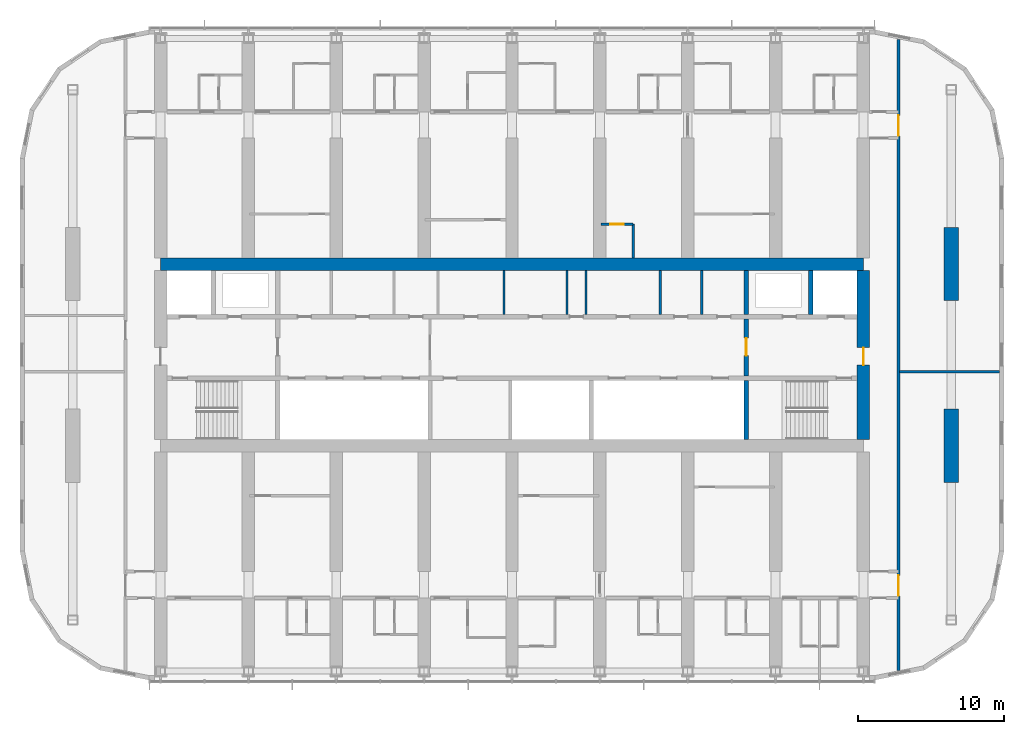
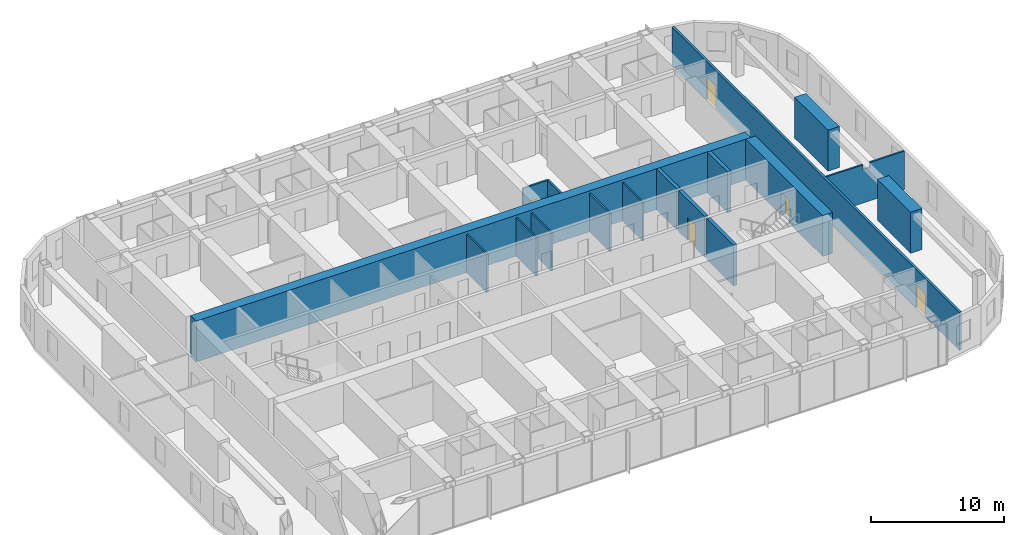
# One storey, part 14 of 22: 17 walls, 5 doors, 5 openings.
"""IFC4 building model written with IfcOpenShell, lengths in metres."""

from ifc_helpers import new_model, si_unit, direction, frame, frame_2d, origin, place, context, subcontext, project, spatial, polyline, rectangle, outline, extrude, material, layer, layer_set, type_object, element, fill, save


model = new_model("IFC4")

# Units and contexts
model_context = context("Model", 3, precision=1e-05, world=origin(), true_north=direction((0.0, 1.0)))
body_context = subcontext(model_context, "Body", "Model", "MODEL_VIEW")
ifc_project = project(units=[si_unit("LENGTHUNIT", "METRE"), si_unit("AREAUNIT", "SQUARE_METRE"), si_unit("VOLUMEUNIT", "CUBIC_METRE"), si_unit("PLANEANGLEUNIT", "RADIAN"), si_unit("MASSUNIT", "GRAM", prefix="KILO")], contexts=[model_context])

# Site, building, storey
site_placement = place(None, origin())
site = spatial("IfcSite", under=ifc_project, at=site_placement, CompositionType="ELEMENT")
building_placement = place(site_placement, origin())
building = spatial("IfcBuilding", under=site, at=building_placement, Name="Orbita Commons", CompositionType="ELEMENT")
storey_placement = place(building_placement, frame((0.0, 0.0, 186.10009765625)))
storey = spatial("IfcBuildingStorey", under=building, at=storey_placement, Name="L46", CompositionType="ELEMENT", Elevation=186.10009765625)

# Wall
ifc_material_1 = material(Name="Concrete C50/60", Category="concrete")
ifc_layer_1 = layer(ifc_material_1, 0.300048828125)
ifc_layer_set_1 = layer_set([ifc_layer_1], Name="Concrete C50/60")
wall_type_1 = type_object("IfcWallType", Name="Core inner wall 300 C50/60", PredefinedType="SHEAR", material=ifc_layer_set_1)
wall_1_placement = place(storey_placement, frame((58.0, 26.22509765625, 0.0), z_axis=(0.0, 0.0, 1.0), x_axis=(0.0, 1.0, 0.0)))
element("IfcWall", 1, at=wall_1_placement, inside=storey, type_object=wall_type_1, Name="Stair S2 wall L46", PredefinedType="SHEAR", context=body_context, shape_type="SweptSolid", body=[
    extrude(rectangle(XDim=4.02490234375, YDim=0.300048828125, at=frame_2d((2.012451171875, 0.0))), origin(), (0.0, 0.0, 1.0), 3.75),
])

# Wall, opening, door
wall_2_placement = place(storey_placement, frame((58.0, 30.550048828125, 0.0), z_axis=(0.0, 0.0, 1.0), x_axis=(0.0, 1.0, 0.0)))
wall_2 = element("IfcWall", 2, at=wall_2_placement, inside=storey, type_object=wall_type_1, Name="Firefighting lobby wall east L46", PredefinedType="SHEAR", context=body_context, shape_type="SweptSolid", body=[
    extrude(rectangle(XDim=3.89990234375, YDim=0.300048828125, at=frame_2d((1.949951171875, 0.0))), origin(), (0.0, 0.0, 1.0), 3.75),
])
opening_1_placement = place(wall_2_placement, frame((1.39990234375, 0.0, 0.0)))
opening_1 = element("IfcOpeningElement", 3, at=opening_1_placement, cuts=wall_2, Name="Opening D04", PredefinedType="OPENING", context=body_context, shape_type="SweptSolid", body=[
    extrude(rectangle(XDim=1.199951171875, YDim=2.10009765625, at=frame_2d((0.60009765625, 1.050048828125))), frame((0.0, 0.159912109375, 0.0), z_axis=(0.0, -1.0, 0.0), x_axis=(1.0, 0.0, 0.0)), (0.0, 0.0, 1.0), 0.320068359375),
])
ifc_material_2 = material(Name="Steel-faced fire door leaf", Category="steel")
door_type_1 = type_object("IfcDoorType", Name="Service door 20 min 1200x2100", OperationType="SINGLE_SWING_LEFT", PredefinedType="DOOR", material=ifc_material_2)
door_1_placement = place(opening_1_placement, origin())
door_1 = element("IfcDoor", 4, at=door_1_placement, inside=storey, type_object=door_type_1, Name="Lift lobby door east", OperationType="SINGLE_SWING_LEFT", OverallHeight=2.10009765625, OverallWidth=1.199951171875, PredefinedType="DOOR", context=body_context, shape_type="SweptSolid", body=[
    extrude(rectangle(XDim=1.199951171875, YDim=2.10009765625, at=frame_2d((0.60009765625, 1.050048828125))), frame((0.0, 0.02490234375, 0.0), z_axis=(0.0, -1.0, 0.0), x_axis=(1.0, 0.0, 0.0)), (0.0, 0.0, 1.0), 0.050048828125),
])
fill(opening_1, door_1)

# Walls
for number, where, z_axis, x_axis, name in (
    (5, (62.39990234375, 34.75, 0.0), (0.0, 0.0, 1.0), (0.0, 1.0, 0.0), "Firefighting lift FL2 shaft wall L46"),
    (6, (58.0, 34.75, 0.0), (0.0, 0.0, 1.0), (0.0, 1.0, 0.0), "Riser wall east L46"),
):
    element("IfcWall", number, at=place(storey_placement, frame(where, z_axis=z_axis, x_axis=x_axis)), inside=storey, type_object=wall_type_1, Name=name, PredefinedType="SHEAR", context=body_context, shape_type="SweptSolid", body=[
        extrude(rectangle(XDim=3.02490234375, YDim=0.300048828125, at=frame_2d((1.512451171875, 0.0))), origin(), (0.0, 0.0, 1.0), 3.75),
    ])
ifc_material_3 = material(Name="Concrete blockwork", Category="masonry")
ifc_layer_2 = layer(ifc_material_3, 0.14990234375)
ifc_layer_set_2 = layer_set([ifc_layer_2], Name="Concrete blockwork")
wall_type_2 = type_object("IfcWallType", Name="Core partition 150 blockwork", PredefinedType="SOLIDWALL", material=ifc_layer_set_2)
for number, where, z_axis, x_axis, name in (
    (7, (41.463134765625, 34.75, 0.0), (0.0, 0.0, 1.0), (0.0, 1.0, 0.0), "Core partition 150 blockwork L46"),
    (8, (45.75830078125, 34.75, 0.0), (0.0, 0.0, 1.0), (0.0, 1.0, 0.0), "Core partition 150 blockwork L46"),
    (9, (47.058349609375, 34.75, 0.0), (0.0, 0.0, 1.0), (0.0, 1.0, 0.0), "Core partition 150 blockwork L46"),
    (10, (52.123779296875, 34.75, 0.0), (0.0, 0.0, 1.0), (0.0, 1.0, 0.0), "Core partition 150 blockwork L46"),
    (11, (54.960693359375, 34.75, 0.0), (0.0, 0.0, 1.0), (0.0, 1.0, 0.0), "Core partition 150 blockwork L46"),
):
    element("IfcWall", number, at=place(storey_placement, frame(where, z_axis=z_axis, x_axis=x_axis)), inside=storey, type_object=wall_type_2, Name=name, PredefinedType="SOLIDWALL", context=body_context, shape_type="SweptSolid", body=[
        extrude(rectangle(XDim=3.02490234375, YDim=0.14990234375, at=frame_2d((1.512451171875, 0.0))), origin(), (0.0, 0.0, 1.0), 3.5),
    ])
ifc_material_4 = material(Name="Concrete C50/60", Category="concrete")
ifc_layer_3 = layer(ifc_material_4, 0.85009765625)
ifc_layer_set_3 = layer_set([ifc_layer_3], Name="Concrete C50/60")
wall_type_3 = type_object("IfcWallType", Name="Core wall 850 C50/60", PredefinedType="SHEAR", material=ifc_layer_set_3)
wall_3_placement = place(storey_placement, frame((18.0, 38.199951171875, 0.0), z_axis=(0.0, 0.0, 1.0), x_axis=(1.0, 0.0, 0.0)))
element("IfcWall", 12, at=wall_3_placement, inside=storey, type_object=wall_type_3, Name="Core spine wall north L46", PredefinedType="SHEAR", context=body_context, shape_type="SweptSolid", body=[
    extrude(rectangle(XDim=48.0, YDim=0.85009765625, at=frame_2d((24.0, 0.0))), origin(), (0.0, 0.0, 1.0), 3.75),
])

# Wall, opening, door
wall_4_placement = place(storey_placement, frame((66.0, 26.22509765625, 0.0), z_axis=(0.0, 0.0, 1.0), x_axis=(0.0, 1.0, 0.0)))
wall_4 = element("IfcWall", 13, at=wall_4_placement, inside=storey, type_object=wall_type_3, Name="Core end wall east L46", PredefinedType="SHEAR", context=body_context, shape_type="SweptSolid", body=[
    extrude(rectangle(XDim=11.5498046875, YDim=0.85009765625, at=frame_2d((5.77490234375, 0.0))), origin(), (0.0, 0.0, 1.0), 3.75),
])
opening_2_placement = place(wall_4_placement, frame((5.074951171875, 0.0, 0.0)))
opening_2 = element("IfcOpeningElement", 14, at=opening_2_placement, cuts=wall_4, Name="Opening D01", PredefinedType="OPENING", context=body_context, shape_type="SweptSolid", body=[
    extrude(rectangle(XDim=1.199951171875, YDim=2.10009765625, at=frame_2d((0.60009765625, 1.050048828125))), frame((0.0, 0.43505859375, 0.0), z_axis=(0.0, -1.0, 0.0), x_axis=(1.0, 0.0, 0.0)), (0.0, 0.0, 1.0), 0.8701171875),
])
ifc_material_5 = material(Name="Steel-faced fire door leaf", Category="steel")
door_type_2 = type_object("IfcDoorType", Name="Fire door 90 min 1200x2100", OperationType="SINGLE_SWING_LEFT", PredefinedType="DOOR", material=ifc_material_5)
door_2_placement = place(opening_2_placement, origin())
door_2 = element("IfcDoor", 15, at=door_2_placement, inside=storey, type_object=door_type_2, Name="Firefighting lobby east door", OperationType="SINGLE_SWING_LEFT", OverallHeight=2.10009765625, OverallWidth=1.199951171875, PredefinedType="DOOR", context=body_context, shape_type="SweptSolid", body=[
    extrude(rectangle(XDim=1.199951171875, YDim=2.10009765625, at=frame_2d((0.60009765625, 1.050048828125))), frame((0.0, 0.02490234375, 0.0), z_axis=(0.0, -1.0, 0.0), x_axis=(1.0, 0.0, 0.0)), (0.0, 0.0, 1.0), 0.050048828125),
])
fill(opening_2, door_2)

# Wall, openings, doors
ifc_material_6 = material(Name="Concrete blockwork", Category="masonry")
ifc_layer_4 = layer(ifc_material_6, 0.199951171875)
ifc_layer_set_4 = layer_set([ifc_layer_4], Name="Concrete blockwork")
wall_type_4 = type_object("IfcWallType", Name="Corridor wall 200 blockwork", PredefinedType="SOLIDWALL", material=ifc_layer_set_4)
wall_5_placement = place(storey_placement, frame((68.39990234375, 10.4462890625, 0.0), z_axis=(0.0, 0.0, 1.0), x_axis=(0.0, 1.0, 0.0)))
wall_5 = element("IfcWall", 16, at=wall_5_placement, inside=storey, type_object=wall_type_4, Name="Corridor wall 200 blockwork L46", PredefinedType="SOLIDWALL", context=body_context, shape_type="SweptSolid", body=[
    extrude(rectangle(XDim=43.107421875, YDim=0.199951171875, at=frame_2d((21.5537109375, 0.0))), origin(), (0.0, 0.0, 1.0), 3.5),
])
opening_3_placement = place(wall_5_placement, frame((5.103759765625, 0.0, 0.0)))
opening_3 = element("IfcOpeningElement", 17, at=opening_3_placement, cuts=wall_5, Name="Opening D08", PredefinedType="OPENING", context=body_context, shape_type="SweptSolid", body=[
    extrude(rectangle(XDim=1.39990234375, YDim=2.10009765625, at=frame_2d((0.699951171875, 1.050048828125))), frame((0.0, 0.10986328125, 0.0), z_axis=(0.0, -1.0, 0.0), x_axis=(1.0, 0.0, 0.0)), (0.0, 0.0, 1.0), 0.219970703125),
])
opening_4_placement = place(wall_5_placement, frame((36.50390625, 0.0, 0.0)))
opening_4 = element("IfcOpeningElement", 18, at=opening_4_placement, cuts=wall_5, Name="Opening D08", PredefinedType="OPENING", context=body_context, shape_type="SweptSolid", body=[
    extrude(rectangle(XDim=1.39990234375, YDim=2.10009765625, at=frame_2d((0.699951171875, 1.050048828125))), frame((0.0, 0.10986328125, 0.0), z_axis=(0.0, -1.0, 0.0), x_axis=(1.0, 0.0, 0.0)), (0.0, 0.0, 1.0), 0.219970703125),
])
ifc_material_7 = material(Name="Steel-faced fire door leaf", Category="steel")
door_type_3 = type_object("IfcDoorType", Name="Double corridor door 20 min 1400x2100", OperationType="DOUBLE_DOOR_SINGLE_SWING", PredefinedType="DOOR", material=ifc_material_7)
door_3_placement = place(opening_3_placement, origin())
door_3 = element("IfcDoor", 19, at=door_3_placement, inside=storey, type_object=door_type_3, Name="Lounge doors", OperationType="DOUBLE_DOOR_SINGLE_SWING", OverallHeight=2.10009765625, OverallWidth=1.39990234375, PredefinedType="DOOR", context=body_context, shape_type="SweptSolid", body=[
    extrude(rectangle(XDim=1.39990234375, YDim=2.10009765625, at=frame_2d((0.699951171875, 1.050048828125))), frame((0.0, 0.02490234375, 0.0), z_axis=(0.0, -1.0, 0.0), x_axis=(1.0, 0.0, 0.0)), (0.0, 0.0, 1.0), 0.050048828125),
])
fill(opening_3, door_3)
door_4_placement = place(opening_4_placement, origin())
door_4 = element("IfcDoor", 20, at=door_4_placement, inside=storey, type_object=door_type_3, Name="Lounge doors", OperationType="DOUBLE_DOOR_SINGLE_SWING", OverallHeight=2.10009765625, OverallWidth=1.39990234375, PredefinedType="DOOR", context=body_context, shape_type="SweptSolid", body=[
    extrude(rectangle(XDim=1.39990234375, YDim=2.10009765625, at=frame_2d((0.699951171875, 1.050048828125))), frame((0.0, 0.02490234375, 0.0), z_axis=(0.0, -1.0, 0.0), x_axis=(1.0, 0.0, 0.0)), (0.0, 0.0, 1.0), 0.050048828125),
])
fill(opening_4, door_4)

# Walls
ifc_material_8 = material(Name="Concrete C50/60", Category="concrete")
ifc_layer_5 = layer(ifc_material_8, 1.0)
ifc_layer_set_5 = layer_set([ifc_layer_5], Name="Concrete C50/60")
wall_type_5 = type_object("IfcWallType", Name="End pier 1000x5000 C50/60", PredefinedType="SHEAR", material=ifc_layer_set_5)
for number, where, z_axis, x_axis, name in (
    (21, (72.0, 23.300048828125, 0.0), (0.0, 0.0, 1.0), (0.0, 1.0, 0.0), "End pier 13/C L46"),
    (22, (72.0, 35.699951171875, 0.0), (0.0, 0.0, 1.0), (0.0, 1.0, 0.0), "End pier 13/D L46"),
):
    element("IfcWall", number, at=place(storey_placement, frame(where, z_axis=z_axis, x_axis=x_axis)), inside=storey, type_object=wall_type_5, Name=name, PredefinedType="SHEAR", context=body_context, shape_type="SweptSolid", body=[
        extrude(rectangle(XDim=5.0, YDim=1.0, at=frame_2d((2.5, 0.0))), origin(), (0.0, 0.0, 1.0), 3.75),
    ])
ifc_material_9 = material(Name="Gypsum plasterboard on steel studs", Category="steel")
ifc_layer_6 = layer(ifc_material_9, 0.14990234375)
ifc_layer_set_6 = layer_set([ifc_layer_6], Name="Gypsum plasterboard on steel studs")
wall_type_6 = type_object("IfcWallType", Name="Partition 150 plasterboard", PredefinedType="PARTITIONING", material=ifc_layer_set_6)
wall_6_placement = place(storey_placement, frame((50.27490234375, 40.925048828125, 0.0), z_axis=(0.0, 0.0, 1.0), x_axis=(0.0, -1.0, 0.0)))
element("IfcWall", 23, at=wall_6_placement, inside=storey, type_object=wall_type_6, Name="Partition 150 plasterboard L46", PredefinedType="PARTITIONING", context=body_context, shape_type="SweptSolid", body=[
    extrude(rectangle(XDim=2.300048828125, YDim=0.14990234375, at=frame_2d((1.14990234375, 0.0))), origin(), (0.0, 0.0, 1.0), 3.5),
])

# Wall, opening, door
wall_7_placement = place(storey_placement, frame((50.27490234375, 40.925048828125, 0.0), z_axis=(0.0, 0.0, 1.0), x_axis=(-1.0, 0.0, 0.0)))
wall_7 = element("IfcWall", 24, at=wall_7_placement, inside=storey, type_object=wall_type_6, Name="Partition 150 plasterboard L46", PredefinedType="PARTITIONING", context=body_context, shape_type="SweptSolid", body=[
    extrude(rectangle(XDim=2.199951171875, YDim=0.14990234375, at=frame_2d((1.10009765625, 0.0))), origin(), (0.0, 0.0, 1.0), 3.5),
])
opening_5_placement = place(wall_7_placement, frame((0.64990234375, 0.0, 0.0)))
opening_5 = element("IfcOpeningElement", 25, at=opening_5_placement, cuts=wall_7, Name="Opening D05", PredefinedType="OPENING", context=body_context, shape_type="SweptSolid", body=[
    extrude(rectangle(XDim=0.89990234375, YDim=2.10009765625, at=frame_2d((0.449951171875, 1.050048828125))), frame((0.0, 0.0849609375, 0.0), z_axis=(0.0, -1.0, 0.0), x_axis=(1.0, 0.0, 0.0)), (0.0, 0.0, 1.0), 0.169921875),
])
ifc_material_10 = material(Name="Steel-faced fire door leaf", Category="steel")
door_type_4 = type_object("IfcDoorType", Name="Service door 20 min 900x2100", OperationType="SINGLE_SWING_LEFT", PredefinedType="DOOR", material=ifc_material_10)
door_5_placement = place(opening_5_placement, origin())
door_5 = element("IfcDoor", 26, at=door_5_placement, inside=storey, type_object=door_type_4, Name="Accessible WC L46-BDN48 door", OperationType="SINGLE_SWING_LEFT", OverallHeight=2.10009765625, OverallWidth=0.89990234375, PredefinedType="DOOR", context=body_context, shape_type="SweptSolid", body=[
    extrude(rectangle(XDim=0.89990234375, YDim=2.10009765625, at=frame_2d((0.449951171875, 1.050048828125))), frame((0.0, 0.02490234375, 0.0), z_axis=(0.0, -1.0, 0.0), x_axis=(1.0, 0.0, 0.0)), (0.0, 0.0, 1.0), 0.050048828125),
])
fill(opening_5, door_5)

# Wall
wall_8_placement = place(storey_placement, frame((68.47509765625, 30.85009765625, 0.0), z_axis=(0.0, 0.0, 1.0), x_axis=(1.0, 0.0, 0.0)))
element("IfcWall", 27, at=wall_8_placement, inside=storey, type_object=wall_type_6, Name="Partition 150 plasterboard L46", PredefinedType="PARTITIONING", context=body_context, shape_type="SweptSolid", body=[
    extrude(outline(polyline([(0.0, 0.0), (6.81982421875, 0.0), (6.820068359375, 3.5), (3.826904296875, 3.5), (3.824951171875, 3.0498046875), (3.22705078125, 3.0498046875), (3.22509765625, 3.5), (0.0, 3.5), (0.0, 0.0)])), frame((0.0, 0.074951171875, 0.0), z_axis=(0.0, -1.0, 0.0), x_axis=(1.0, 0.0, 0.0)), (0.0, 0.0, 1.0), 0.14990234375),
])

save(model, "model.ifc")
